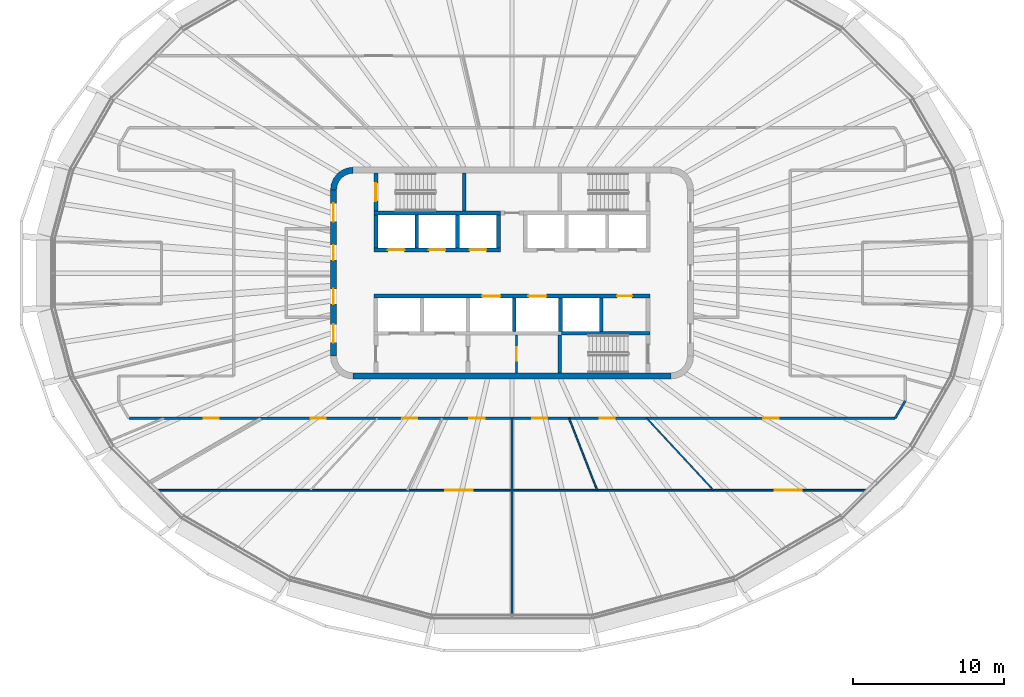
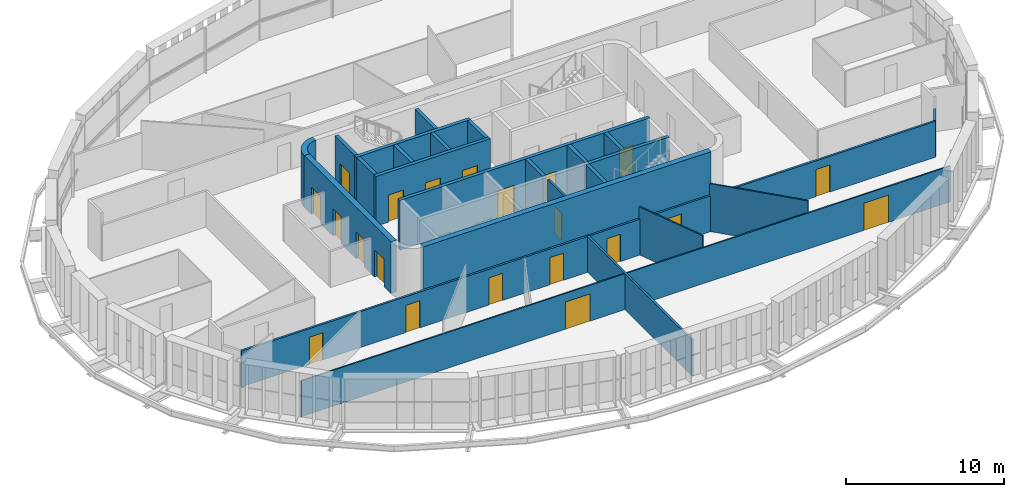
# One storey, part 10 of 19: 24 walls, 21 doors, 21 openings.
"""IFC4 building model written with IfcOpenShell, lengths in metres."""

from ifc_helpers import new_model, si_unit, direction, frame, frame_2d, origin, place, context, subcontext, project, spatial, polyline, rectangle, outline, extrude, material, layer, layer_set, type_object, element, fill, save


model = new_model("IFC4")

# Units and contexts
model_context = context("Model", 3, precision=1e-05, world=origin(), true_north=direction((0.0, 1.0)))
body_context = subcontext(model_context, "Body", "Model", "MODEL_VIEW")
ifc_project = project(units=[si_unit("LENGTHUNIT", "METRE"), si_unit("AREAUNIT", "SQUARE_METRE"), si_unit("VOLUMEUNIT", "CUBIC_METRE"), si_unit("PLANEANGLEUNIT", "RADIAN"), si_unit("MASSUNIT", "GRAM", prefix="KILO")], contexts=[model_context])

# Site, building, storey
site_placement = place(None, origin())
site = spatial("IfcSite", under=ifc_project, at=site_placement, CompositionType="ELEMENT")
building_placement = place(site_placement, origin())
building = spatial("IfcBuilding", under=site, at=building_placement, Name="Sahrelin Media Tower", CompositionType="ELEMENT")
storey_placement = place(building_placement, frame((0.0, 0.0, 241.60009765625)))
storey = spatial("IfcBuildingStorey", under=building, at=storey_placement, Name="L52", CompositionType="ELEMENT", Elevation=241.60009765625)

# Wall
ifc_material_1 = material(Name="Concrete C60/75", Category="concrete")
ifc_layer_1 = layer(ifc_material_1, 0.39990234375)
ifc_layer_set_1 = layer_set([ifc_layer_1], Name="Core wall 400")
wall_type_1 = type_object("IfcWallType", Name="Core wall 400", PredefinedType="SHEAR", material=ifc_layer_set_1)
wall_1_placement = place(storey_placement, frame((-10.5, -6.800048828125, 0.0), z_axis=(0.0, 0.0, 1.0), x_axis=(1.0, 0.0, 0.0)))
element("IfcWall", 1, at=wall_1_placement, inside=storey, type_object=wall_type_1, Name="Core wall S L52", PredefinedType="SHEAR", context=body_context, shape_type="SweptSolid", body=[
    extrude(rectangle(XDim=21.0, YDim=0.39990234375, at=frame_2d((10.5, 0.0))), origin(), (0.0, 0.0, 1.0), 4.0),
])

# Wall, openings, doors
wall_2_placement = place(storey_placement, frame((-11.800048828125, -5.5, 0.0), z_axis=(0.0, 0.0, 1.0), x_axis=(0.0, 1.0, 0.0)))
wall_2 = element("IfcWall", 2, at=wall_2_placement, inside=storey, type_object=wall_type_1, Name="Core wall W L52", PredefinedType="SHEAR", context=body_context, shape_type="SweptSolid", body=[
    extrude(rectangle(XDim=11.0, YDim=0.39990234375, at=frame_2d((5.5, 0.0))), origin(), (0.0, 0.0, 1.0), 4.0),
])
opening_1_placement = place(wall_2_placement, frame((3.449951171875, 0.0, 0.0)))
opening_1 = element("IfcOpeningElement", 3, at=opening_1_placement, cuts=wall_2, Name="Opening L52-D09", PredefinedType="OPENING", context=body_context, shape_type="SweptSolid", body=[
    extrude(rectangle(XDim=1.0, YDim=2.10009765625, at=frame_2d((0.5, 1.050048828125))), frame((0.0, 0.199951171875, 0.0), z_axis=(0.0, -1.0, 0.0), x_axis=(1.0, 0.0, 0.0)), (0.0, 0.0, 1.0), 0.39990234375),
])
opening_2_placement = place(wall_2_placement, frame((6.35009765625, 0.0, 0.0)))
opening_2 = element("IfcOpeningElement", 4, at=opening_2_placement, cuts=wall_2, Name="Opening L52-D10", PredefinedType="OPENING", context=body_context, shape_type="SweptSolid", body=[
    extrude(rectangle(XDim=1.0, YDim=2.10009765625, at=frame_2d((0.5, 1.050048828125))), frame((0.0, 0.199951171875, 0.0), z_axis=(0.0, -1.0, 0.0), x_axis=(1.0, 0.0, 0.0)), (0.0, 0.0, 1.0), 0.39990234375),
])
opening_3_placement = place(wall_2_placement, frame((0.89990234375, 0.0, 0.0)))
opening_3 = element("IfcOpeningElement", 5, at=opening_3_placement, cuts=wall_2, Name="Opening L52-D12", PredefinedType="OPENING", context=body_context, shape_type="SweptSolid", body=[
    extrude(rectangle(XDim=1.199951171875, YDim=2.10009765625, at=frame_2d((0.60009765625, 1.050048828125))), frame((0.0, 0.199951171875, 0.0), z_axis=(0.0, -1.0, 0.0), x_axis=(1.0, 0.0, 0.0)), (0.0, 0.0, 1.0), 0.39990234375),
])
opening_4_placement = place(wall_2_placement, frame((8.89990234375, 0.0, 0.0)))
opening_4 = element("IfcOpeningElement", 6, at=opening_4_placement, cuts=wall_2, Name="Opening L52-D13", PredefinedType="OPENING", context=body_context, shape_type="SweptSolid", body=[
    extrude(rectangle(XDim=1.199951171875, YDim=2.10009765625, at=frame_2d((0.60009765625, 1.050048828125))), frame((0.0, 0.199951171875, 0.0), z_axis=(0.0, -1.0, 0.0), x_axis=(1.0, 0.0, 0.0)), (0.0, 0.0, 1.0), 0.39990234375),
])
ifc_material_2 = material(Name="Steel fire door leaf", Category="steel")
door_type_1 = type_object("IfcDoorType", Name="Fire door 1000 x 2100 EI 60", OperationType="NOTDEFINED", PredefinedType="DOOR", material=ifc_material_2)
door_1_placement = place(opening_1_placement, origin())
door_1 = element("IfcDoor", 7, at=door_1_placement, inside=storey, type_object=door_type_1, Name="Core room door", OperationType="SINGLE_SWING_RIGHT", OverallHeight=2.10009765625, OverallWidth=1.0, PredefinedType="DOOR", context=body_context, shape_type="SweptSolid", body=[
    extrude(rectangle(XDim=1.0, YDim=2.10009765625, at=frame_2d((0.5, 1.050048828125))), frame((0.0, 0.02490234375, 0.0), z_axis=(0.0, -1.0, 0.0), x_axis=(1.0, 0.0, 0.0)), (0.0, 0.0, 1.0), 0.050048828125),
])
fill(opening_1, door_1)
door_2_placement = place(opening_2_placement, origin())
door_2 = element("IfcDoor", 8, at=door_2_placement, inside=storey, type_object=door_type_1, Name="Core room door", OperationType="SINGLE_SWING_RIGHT", OverallHeight=2.10009765625, OverallWidth=1.0, PredefinedType="DOOR", context=body_context, shape_type="SweptSolid", body=[
    extrude(rectangle(XDim=1.0, YDim=2.10009765625, at=frame_2d((0.5, 1.050048828125))), frame((0.0, 0.02490234375, 0.0), z_axis=(0.0, -1.0, 0.0), x_axis=(1.0, 0.0, 0.0)), (0.0, 0.0, 1.0), 0.050048828125),
])
fill(opening_2, door_2)
door_type_2 = type_object("IfcDoorType", Name="Lobby door 1200 x 2100 EI 60", OperationType="NOTDEFINED", PredefinedType="DOOR", material=ifc_material_2)
door_3_placement = place(opening_3_placement, origin())
door_3 = element("IfcDoor", 9, at=door_3_placement, inside=storey, type_object=door_type_2, Name="Lobby door", OperationType="SINGLE_SWING_LEFT", OverallHeight=2.10009765625, OverallWidth=1.199951171875, PredefinedType="DOOR", context=body_context, shape_type="SweptSolid", body=[
    extrude(rectangle(XDim=1.199951171875, YDim=2.10009765625, at=frame_2d((0.60009765625, 1.050048828125))), frame((0.0, 0.02490234375, 0.0), z_axis=(0.0, -1.0, 0.0), x_axis=(1.0, 0.0, 0.0)), (0.0, 0.0, 1.0), 0.050048828125),
])
fill(opening_3, door_3)
door_4_placement = place(opening_4_placement, origin())
door_4 = element("IfcDoor", 10, at=door_4_placement, inside=storey, type_object=door_type_2, Name="Lobby door", OperationType="SINGLE_SWING_LEFT", OverallHeight=2.10009765625, OverallWidth=1.199951171875, PredefinedType="DOOR", context=body_context, shape_type="SweptSolid", body=[
    extrude(rectangle(XDim=1.199951171875, YDim=2.10009765625, at=frame_2d((0.60009765625, 1.050048828125))), frame((0.0, 0.02490234375, 0.0), z_axis=(0.0, -1.0, 0.0), x_axis=(1.0, 0.0, 0.0)), (0.0, 0.0, 1.0), 0.050048828125),
])
fill(opening_4, door_4)

# Wall
wall_3_placement = place(storey_placement, origin())
element("IfcWall", 11, at=wall_3_placement, inside=storey, type_object=wall_type_1, Name="Core wall corner NW L52", PredefinedType="SHEAR", context=body_context, shape_type="SweptSolid", body=[
    extrude(outline(polyline([(-12.0, 5.5), (-11.596435546875, 5.5), (-11.55908203125, 5.78369140625), (-11.44970703125, 6.04833984375), (-11.275390625, 6.275390625), (-11.04833984375, 6.44970703125), (-10.78369140625, 6.55908203125), (-10.5, 6.596435546875), (-10.5, 7.0), (-10.88818359375, 6.948974609375), (-11.25, 6.799072265625), (-11.560791015625, 6.560791015625), (-11.799072265625, 6.25), (-11.948974609375, 5.88818359375), (-12.0, 5.5)])), origin(), (0.0, 0.0, 1.0), 4.0),
])

# Wall, opening, door
ifc_material_3 = material(Name="Fire-rated gypsum board partition")
ifc_layer_2 = layer(ifc_material_3, 0.14990234375)
ifc_layer_set_2 = layer_set([ifc_layer_2], Name="Fire-rated partition 150")
wall_type_2 = type_object("IfcWallType", Name="Fire-rated partition 150", PredefinedType="PARTITIONING", material=ifc_layer_set_2)
wall_4_placement = place(storey_placement, frame((0.300048828125, -6.60009765625, 0.0), z_axis=(0.0, 0.0, 1.0), x_axis=(0.0, 1.0, 0.0)))
wall_4 = element("IfcWall", 12, at=wall_4_placement, inside=storey, type_object=wall_type_2, Name="Core room fire partition", PredefinedType="PARTITIONING", context=body_context, shape_type="SweptSolid", body=[
    extrude(rectangle(XDim=2.5, YDim=0.14990234375, at=frame_2d((1.25, 0.0))), origin(), (0.0, 0.0, 1.0), 3.699951171875),
])
opening_5_placement = place(wall_4_placement, frame((0.800048828125, 0.0, 0.0)))
opening_5 = element("IfcOpeningElement", 13, at=opening_5_placement, cuts=wall_4, Name="Opening L52-D07", PredefinedType="OPENING", context=body_context, shape_type="SweptSolid", body=[
    extrude(rectangle(XDim=0.89990234375, YDim=2.10009765625, at=frame_2d((0.449951171875, 1.050048828125))), frame((0.0, 0.074951171875, 0.0), z_axis=(0.0, -1.0, 0.0), x_axis=(1.0, 0.0, 0.0)), (0.0, 0.0, 1.0), 0.14990234375),
])
door_type_3 = type_object("IfcDoorType", Name="Fire door 900 x 2100 EI 60", OperationType="NOTDEFINED", PredefinedType="DOOR", material=ifc_material_2)
door_5_placement = place(opening_5_placement, origin())
door_5 = element("IfcDoor", 14, at=door_5_placement, inside=storey, type_object=door_type_3, Name="Core room door", OperationType="SINGLE_SWING_RIGHT", OverallHeight=2.10009765625, OverallWidth=0.89990234375, PredefinedType="DOOR", context=body_context, shape_type="SweptSolid", body=[
    extrude(rectangle(XDim=0.89990234375, YDim=2.10009765625, at=frame_2d((0.449951171875, 1.050048828125))), frame((0.0, 0.02490234375, 0.0), z_axis=(0.0, -1.0, 0.0), x_axis=(1.0, 0.0, 0.0)), (0.0, 0.0, 1.0), 0.050048828125),
])
fill(opening_5, door_5)

# Wall, openings, doors
wall_5_placement = place(storey_placement, frame((-25.3330078125, -9.60009765625, 0.0), z_axis=(0.0, 0.0, 1.0), x_axis=(1.0, 0.0, 0.0)))
wall_5 = element("IfcWall", 15, at=wall_5_placement, inside=storey, type_object=wall_type_2, Name="Wall", PredefinedType="PARTITIONING", context=body_context, shape_type="SweptSolid", body=[
    extrude(rectangle(XDim=50.666015625, YDim=0.14990234375, at=frame_2d((25.3330078125, 0.0))), origin(), (0.0, 0.0, 1.0), 2.76806640625),
])
opening_6_placement = place(wall_5_placement, frame((4.955810546875, 0.0, 0.0)))
opening_6 = element("IfcOpeningElement", 16, at=opening_6_placement, cuts=wall_5, Name="Opening L52-D26", PredefinedType="OPENING", context=body_context, shape_type="SweptSolid", body=[
    extrude(rectangle(XDim=1.0, YDim=2.10009765625, at=frame_2d((0.5, 1.050048828125))), frame((0.0, 0.074951171875, 0.0), z_axis=(0.0, -1.0, 0.0), x_axis=(1.0, 0.0, 0.0)), (0.0, 0.0, 1.0), 0.14990234375),
])
opening_7_placement = place(wall_5_placement, frame((12.015869140625, 0.0, 0.0)))
opening_7 = element("IfcOpeningElement", 17, at=opening_7_placement, cuts=wall_5, Name="Opening L52-D28", PredefinedType="OPENING", context=body_context, shape_type="SweptSolid", body=[
    extrude(rectangle(XDim=1.0, YDim=2.10009765625, at=frame_2d((0.5, 1.050048828125))), frame((0.0, 0.074951171875, 0.0), z_axis=(0.0, -1.0, 0.0), x_axis=(1.0, 0.0, 0.0)), (0.0, 0.0, 1.0), 0.14990234375),
])
opening_8_placement = place(wall_5_placement, frame((18.068115234375, 0.0, 0.0)))
opening_8 = element("IfcOpeningElement", 18, at=opening_8_placement, cuts=wall_5, Name="Opening L52-D29", PredefinedType="OPENING", context=body_context, shape_type="SweptSolid", body=[
    extrude(rectangle(XDim=1.0, YDim=2.10009765625, at=frame_2d((0.5, 1.050048828125))), frame((0.0, 0.074951171875, 0.0), z_axis=(0.0, -1.0, 0.0), x_axis=(1.0, 0.0, 0.0)), (0.0, 0.0, 1.0), 0.14990234375),
])
opening_9_placement = place(wall_5_placement, frame((22.521484375, 0.0, 0.0)))
opening_9 = element("IfcOpeningElement", 19, at=opening_9_placement, cuts=wall_5, Name="Opening L52-D30", PredefinedType="OPENING", context=body_context, shape_type="SweptSolid", body=[
    extrude(rectangle(XDim=1.0, YDim=2.10009765625, at=frame_2d((0.5, 1.050048828125))), frame((0.0, 0.074951171875, 0.0), z_axis=(0.0, -1.0, 0.0), x_axis=(1.0, 0.0, 0.0)), (0.0, 0.0, 1.0), 0.14990234375),
])
opening_10_placement = place(wall_5_placement, frame((26.664794921875, 0.0, 0.0)))
opening_10 = element("IfcOpeningElement", 20, at=opening_10_placement, cuts=wall_5, Name="Opening L52-D32", PredefinedType="OPENING", context=body_context, shape_type="SweptSolid", body=[
    extrude(rectangle(XDim=1.0, YDim=2.10009765625, at=frame_2d((0.5, 1.050048828125))), frame((0.0, 0.074951171875, 0.0), z_axis=(0.0, -1.0, 0.0), x_axis=(1.0, 0.0, 0.0)), (0.0, 0.0, 1.0), 0.14990234375),
])
opening_11_placement = place(wall_5_placement, frame((31.119873046875, 0.0, 0.0)))
opening_11 = element("IfcOpeningElement", 21, at=opening_11_placement, cuts=wall_5, Name="Opening L52-D33", PredefinedType="OPENING", context=body_context, shape_type="SweptSolid", body=[
    extrude(rectangle(XDim=1.0, YDim=2.10009765625, at=frame_2d((0.5, 1.050048828125))), frame((0.0, 0.074951171875, 0.0), z_axis=(0.0, -1.0, 0.0), x_axis=(1.0, 0.0, 0.0)), (0.0, 0.0, 1.0), 0.14990234375),
])
opening_12_placement = place(wall_5_placement, frame((41.952880859375, 0.0, 0.0)))
opening_12 = element("IfcOpeningElement", 22, at=opening_12_placement, cuts=wall_5, Name="Opening L52-D34", PredefinedType="OPENING", context=body_context, shape_type="SweptSolid", body=[
    extrude(rectangle(XDim=1.0, YDim=2.10009765625, at=frame_2d((0.5, 1.050048828125))), frame((0.0, 0.074951171875, 0.0), z_axis=(0.0, -1.0, 0.0), x_axis=(1.0, 0.0, 0.0)), (0.0, 0.0, 1.0), 0.14990234375),
])
door_6_placement = place(opening_6_placement, origin())
door_6 = element("IfcDoor", 23, at=door_6_placement, inside=storey, type_object=door_type_1, Name="Fire door", OperationType="SINGLE_SWING_LEFT", OverallHeight=2.10009765625, OverallWidth=1.0, PredefinedType="DOOR", context=body_context, shape_type="SweptSolid", body=[
    extrude(rectangle(XDim=1.0, YDim=2.10009765625, at=frame_2d((0.5, 1.050048828125))), frame((0.0, 0.02490234375, 0.0), z_axis=(0.0, -1.0, 0.0), x_axis=(1.0, 0.0, 0.0)), (0.0, 0.0, 1.0), 0.050048828125),
])
fill(opening_6, door_6)
door_7_placement = place(opening_7_placement, origin())
door_7 = element("IfcDoor", 24, at=door_7_placement, inside=storey, type_object=door_type_1, Name="Fire door", OperationType="SINGLE_SWING_RIGHT", OverallHeight=2.10009765625, OverallWidth=1.0, PredefinedType="DOOR", context=body_context, shape_type="SweptSolid", body=[
    extrude(rectangle(XDim=1.0, YDim=2.10009765625, at=frame_2d((0.5, 1.050048828125))), frame((0.0, 0.02490234375, 0.0), z_axis=(0.0, -1.0, 0.0), x_axis=(1.0, 0.0, 0.0)), (0.0, 0.0, 1.0), 0.050048828125),
])
fill(opening_7, door_7)
door_8_placement = place(opening_8_placement, origin())
door_8 = element("IfcDoor", 25, at=door_8_placement, inside=storey, type_object=door_type_1, Name="Fire door", OperationType="SINGLE_SWING_RIGHT", OverallHeight=2.10009765625, OverallWidth=1.0, PredefinedType="DOOR", context=body_context, shape_type="SweptSolid", body=[
    extrude(rectangle(XDim=1.0, YDim=2.10009765625, at=frame_2d((0.5, 1.050048828125))), frame((0.0, 0.02490234375, 0.0), z_axis=(0.0, -1.0, 0.0), x_axis=(1.0, 0.0, 0.0)), (0.0, 0.0, 1.0), 0.050048828125),
])
fill(opening_8, door_8)
door_9_placement = place(opening_9_placement, origin())
door_9 = element("IfcDoor", 26, at=door_9_placement, inside=storey, type_object=door_type_1, Name="Fire door", OperationType="SINGLE_SWING_LEFT", OverallHeight=2.10009765625, OverallWidth=1.0, PredefinedType="DOOR", context=body_context, shape_type="SweptSolid", body=[
    extrude(rectangle(XDim=1.0, YDim=2.10009765625, at=frame_2d((0.5, 1.050048828125))), frame((0.0, 0.02490234375, 0.0), z_axis=(0.0, -1.0, 0.0), x_axis=(1.0, 0.0, 0.0)), (0.0, 0.0, 1.0), 0.050048828125),
])
fill(opening_9, door_9)
door_10_placement = place(opening_10_placement, origin())
door_10 = element("IfcDoor", 27, at=door_10_placement, inside=storey, type_object=door_type_1, Name="Fire door", OperationType="SINGLE_SWING_RIGHT", OverallHeight=2.10009765625, OverallWidth=1.0, PredefinedType="DOOR", context=body_context, shape_type="SweptSolid", body=[
    extrude(rectangle(XDim=1.0, YDim=2.10009765625, at=frame_2d((0.5, 1.050048828125))), frame((0.0, 0.02490234375, 0.0), z_axis=(0.0, -1.0, 0.0), x_axis=(1.0, 0.0, 0.0)), (0.0, 0.0, 1.0), 0.050048828125),
])
fill(opening_10, door_10)
door_11_placement = place(opening_11_placement, origin())
door_11 = element("IfcDoor", 28, at=door_11_placement, inside=storey, type_object=door_type_1, Name="Fire door", OperationType="SINGLE_SWING_LEFT", OverallHeight=2.10009765625, OverallWidth=1.0, PredefinedType="DOOR", context=body_context, shape_type="SweptSolid", body=[
    extrude(rectangle(XDim=1.0, YDim=2.10009765625, at=frame_2d((0.5, 1.050048828125))), frame((0.0, 0.02490234375, 0.0), z_axis=(0.0, -1.0, 0.0), x_axis=(1.0, 0.0, 0.0)), (0.0, 0.0, 1.0), 0.050048828125),
])
fill(opening_11, door_11)
door_12_placement = place(opening_12_placement, origin())
door_12 = element("IfcDoor", 29, at=door_12_placement, inside=storey, type_object=door_type_1, Name="Fire door", OperationType="SINGLE_SWING_RIGHT", OverallHeight=2.10009765625, OverallWidth=1.0, PredefinedType="DOOR", context=body_context, shape_type="SweptSolid", body=[
    extrude(rectangle(XDim=1.0, YDim=2.10009765625, at=frame_2d((0.5, 1.050048828125))), frame((0.0, 0.02490234375, 0.0), z_axis=(0.0, -1.0, 0.0), x_axis=(1.0, 0.0, 0.0)), (0.0, 0.0, 1.0), 0.050048828125),
])
fill(opening_12, door_12)

# Walls
wall_6_placement = place(storey_placement, frame((25.3330078125, -9.60009765625, 0.0), z_axis=(0.0, 0.0, 1.0), x_axis=(0.500076310463, 0.865981341435, 0.0)))
element("IfcWall", 30, at=wall_6_placement, inside=storey, type_object=wall_type_2, Name="Wall", PredefinedType="PARTITIONING", context=body_context, shape_type="SweptSolid", body=[
    extrude(rectangle(XDim=1.333740234375, YDim=0.14990234375, at=frame_2d((0.6669921875, 0.0))), origin(), (0.0, 0.0, 1.0), 2.76806640625),
])
wall_7_placement = place(storey_placement, frame((0.0, -22.85009765625, 0.0), z_axis=(0.0, 0.0, 1.0), x_axis=(0.0, 1.0, 0.0)))
element("IfcWall", 31, at=wall_7_placement, inside=storey, type_object=wall_type_2, Name="Wall", PredefinedType="PARTITIONING", context=body_context, shape_type="SweptSolid", body=[
    extrude(rectangle(XDim=13.25, YDim=0.14990234375, at=frame_2d((6.625, 0.0))), origin(), (0.0, 0.0, 1.0), 2.76806640625),
])

# Wall, openings, doors
ifc_layer_3 = layer(ifc_material_1, 0.25)
ifc_layer_set_3 = layer_set([ifc_layer_3], Name="Lift shaft wall 250")
wall_type_3 = type_object("IfcWallType", Name="Lift shaft wall 250", PredefinedType="SOLIDWALL", material=ifc_layer_set_3)
wall_8_placement = place(storey_placement, frame((-9.125, 1.52490234375, 0.0), z_axis=(0.0, 0.0, 1.0), x_axis=(1.0, 0.0, 0.0)))
wall_8 = element("IfcWall", 32, at=wall_8_placement, inside=storey, type_object=wall_type_3, Name="Lift shaft wall", PredefinedType="SOLIDWALL", context=body_context, shape_type="SweptSolid", body=[
    extrude(rectangle(XDim=8.35009765625, YDim=0.25, at=frame_2d((4.175048828125, 0.0))), origin(), (0.0, 0.0, 1.0), 3.849853515625),
])
opening_13_placement = place(wall_8_placement, frame((0.925048828125, 0.0, 0.0)))
opening_13 = element("IfcOpeningElement", 33, at=opening_13_placement, cuts=wall_8, Name="Opening L52-LD-HR1", PredefinedType="OPENING", context=body_context, shape_type="SweptSolid", body=[
    extrude(rectangle(XDim=1.10009765625, YDim=2.10009765625, at=frame_2d((0.550048828125, 1.050048828125))), frame((0.0, 0.125, 0.0), z_axis=(0.0, -1.0, 0.0), x_axis=(1.0, 0.0, 0.0)), (0.0, 0.0, 1.0), 0.25),
])
opening_14_placement = place(wall_8_placement, frame((3.625, 0.0, 0.0)))
opening_14 = element("IfcOpeningElement", 34, at=opening_14_placement, cuts=wall_8, Name="Opening L52-LD-HR2", PredefinedType="OPENING", context=body_context, shape_type="SweptSolid", body=[
    extrude(rectangle(XDim=1.10009765625, YDim=2.10009765625, at=frame_2d((0.550048828125, 1.050048828125))), frame((0.0, 0.125, 0.0), z_axis=(0.0, -1.0, 0.0), x_axis=(1.0, 0.0, 0.0)), (0.0, 0.0, 1.0), 0.25),
])
opening_15_placement = place(wall_8_placement, frame((6.324951171875, 0.0, 0.0)))
opening_15 = element("IfcOpeningElement", 35, at=opening_15_placement, cuts=wall_8, Name="Opening L52-LD-HR3", PredefinedType="OPENING", context=body_context, shape_type="SweptSolid", body=[
    extrude(rectangle(XDim=1.10009765625, YDim=2.10009765625, at=frame_2d((0.550048828125, 1.050048828125))), frame((0.0, 0.125, 0.0), z_axis=(0.0, -1.0, 0.0), x_axis=(1.0, 0.0, 0.0)), (0.0, 0.0, 1.0), 0.25),
])
ifc_material_4 = material(Name="Stainless steel", Category="steel")
door_type_4 = type_object("IfcDoorType", Name="Lift landing door 1100 x 2100 EI 120", OperationType="DOUBLE_DOOR_SLIDING", PredefinedType="DOOR", material=ifc_material_4)
door_13_placement = place(opening_13_placement, origin())
door_13 = element("IfcDoor", 36, at=door_13_placement, inside=storey, type_object=door_type_4, Name="Lift landing door HR1", OperationType="DOUBLE_DOOR_SLIDING", OverallHeight=2.10009765625, OverallWidth=1.10009765625, PredefinedType="DOOR", context=body_context, shape_type="SweptSolid", body=[
    extrude(rectangle(XDim=1.10009765625, YDim=2.10009765625, at=frame_2d((0.550048828125, 1.050048828125))), frame((0.0, 0.02490234375, 0.0), z_axis=(0.0, -1.0, 0.0), x_axis=(1.0, 0.0, 0.0)), (0.0, 0.0, 1.0), 0.050048828125),
])
fill(opening_13, door_13)
door_14_placement = place(opening_14_placement, origin())
door_14 = element("IfcDoor", 37, at=door_14_placement, inside=storey, type_object=door_type_4, Name="Lift landing door HR2", OperationType="DOUBLE_DOOR_SLIDING", OverallHeight=2.10009765625, OverallWidth=1.10009765625, PredefinedType="DOOR", context=body_context, shape_type="SweptSolid", body=[
    extrude(rectangle(XDim=1.10009765625, YDim=2.10009765625, at=frame_2d((0.550048828125, 1.050048828125))), frame((0.0, 0.02490234375, 0.0), z_axis=(0.0, -1.0, 0.0), x_axis=(1.0, 0.0, 0.0)), (0.0, 0.0, 1.0), 0.050048828125),
])
fill(opening_14, door_14)
door_15_placement = place(opening_15_placement, origin())
door_15 = element("IfcDoor", 38, at=door_15_placement, inside=storey, type_object=door_type_4, Name="Lift landing door HR3", OperationType="DOUBLE_DOOR_SLIDING", OverallHeight=2.10009765625, OverallWidth=1.10009765625, PredefinedType="DOOR", context=body_context, shape_type="SweptSolid", body=[
    extrude(rectangle(XDim=1.10009765625, YDim=2.10009765625, at=frame_2d((0.550048828125, 1.050048828125))), frame((0.0, 0.02490234375, 0.0), z_axis=(0.0, -1.0, 0.0), x_axis=(1.0, 0.0, 0.0)), (0.0, 0.0, 1.0), 0.050048828125),
])
fill(opening_15, door_15)

# Walls
wall_9_placement = place(storey_placement, frame((-9.125, 3.97509765625, 0.0), z_axis=(0.0, 0.0, 1.0), x_axis=(1.0, 0.0, 0.0)))
element("IfcWall", 39, at=wall_9_placement, inside=storey, type_object=wall_type_3, Name="Lift shaft wall", PredefinedType="SOLIDWALL", context=body_context, shape_type="SweptSolid", body=[
    extrude(rectangle(XDim=8.35009765625, YDim=0.25, at=frame_2d((4.175048828125, 0.0))), origin(), (0.0, 0.0, 1.0), 3.849853515625),
])
for number, where, z_axis, x_axis, name in (
    (40, (-9.0, 1.64990234375, 0.0), (0.0, 0.0, 1.0), (0.0, 1.0, 0.0), "Lift shaft wall"),
    (41, (-6.300048828125, 1.64990234375, 0.0), (0.0, 0.0, 1.0), (0.0, 1.0, 0.0), "Lift shaft wall"),
    (42, (-3.60009765625, 1.64990234375, 0.0), (0.0, 0.0, 1.0), (0.0, 1.0, 0.0), "Lift shaft wall"),
    (43, (-0.89990234375, 1.64990234375, 0.0), (0.0, 0.0, 1.0), (0.0, 1.0, 0.0), "Lift shaft wall"),
):
    element("IfcWall", number, at=place(storey_placement, frame(where, z_axis=z_axis, x_axis=x_axis)), inside=storey, type_object=wall_type_3, Name=name, PredefinedType="SOLIDWALL", context=body_context, shape_type="SweptSolid", body=[
        extrude(rectangle(XDim=2.2001953125, YDim=0.25, at=frame_2d((1.10009765625, 0.0))), origin(), (0.0, 0.0, 1.0), 3.849853515625),
    ])

# Wall, openings, doors
wall_10_placement = place(storey_placement, frame((-9.125, -1.52490234375, 0.0), z_axis=(0.0, 0.0, 1.0), x_axis=(1.0, 0.0, 0.0)))
wall_10 = element("IfcWall", 44, at=wall_10_placement, inside=storey, type_object=wall_type_3, Name="Lift shaft wall", PredefinedType="SOLIDWALL", context=body_context, shape_type="SweptSolid", body=[
    extrude(rectangle(XDim=18.25, YDim=0.25, at=frame_2d((9.125, 0.0))), origin(), (0.0, 0.0, 1.0), 3.849853515625),
])
opening_16_placement = place(wall_10_placement, frame((7.14990234375, 0.0, 0.0)))
opening_16 = element("IfcOpeningElement", 45, at=opening_16_placement, cuts=wall_10, Name="Opening L52-LD-SV1", PredefinedType="OPENING", context=body_context, shape_type="SweptSolid", body=[
    extrude(rectangle(XDim=1.199951171875, YDim=2.10009765625, at=frame_2d((0.60009765625, 1.050048828125))), frame((0.0, 0.125, 0.0), z_axis=(0.0, -1.0, 0.0), x_axis=(1.0, 0.0, 0.0)), (0.0, 0.0, 1.0), 0.25),
])
opening_17_placement = place(wall_10_placement, frame((10.199951171875, 0.0, 0.0)))
opening_17 = element("IfcOpeningElement", 46, at=opening_17_placement, cuts=wall_10, Name="Opening L52-LD-SV2", PredefinedType="OPENING", context=body_context, shape_type="SweptSolid", body=[
    extrude(rectangle(XDim=1.199951171875, YDim=2.10009765625, at=frame_2d((0.60009765625, 1.050048828125))), frame((0.0, 0.125, 0.0), z_axis=(0.0, -1.0, 0.0), x_axis=(1.0, 0.0, 0.0)), (0.0, 0.0, 1.0), 0.25),
])
opening_18_placement = place(wall_10_placement, frame((16.074951171875, 0.0, 0.0)))
opening_18 = element("IfcOpeningElement", 47, at=opening_18_placement, cuts=wall_10, Name="Opening L52-D08", PredefinedType="OPENING", context=body_context, shape_type="SweptSolid", body=[
    extrude(rectangle(XDim=1.0, YDim=2.10009765625, at=frame_2d((0.5, 1.050048828125))), frame((0.0, 0.125, 0.0), z_axis=(0.0, -1.0, 0.0), x_axis=(1.0, 0.0, 0.0)), (0.0, 0.0, 1.0), 0.25),
])
door_16_placement = place(opening_18_placement, origin())
door_16 = element("IfcDoor", 48, at=door_16_placement, inside=storey, type_object=door_type_1, Name="Core room door", OperationType="SINGLE_SWING_RIGHT", OverallHeight=2.10009765625, OverallWidth=1.0, PredefinedType="DOOR", context=body_context, shape_type="SweptSolid", body=[
    extrude(rectangle(XDim=1.0, YDim=2.10009765625, at=frame_2d((0.5, 1.050048828125))), frame((0.0, 0.02490234375, 0.0), z_axis=(0.0, -1.0, 0.0), x_axis=(1.0, 0.0, 0.0)), (0.0, 0.0, 1.0), 0.050048828125),
])
fill(opening_18, door_16)
door_type_5 = type_object("IfcDoorType", Name="Lift landing door 1200 x 2100 EI 120", OperationType="DOUBLE_DOOR_SLIDING", PredefinedType="DOOR", material=ifc_material_4)
door_17_placement = place(opening_16_placement, origin())
door_17 = element("IfcDoor", 49, at=door_17_placement, inside=storey, type_object=door_type_5, Name="Lift landing door SV1", OperationType="DOUBLE_DOOR_SLIDING", OverallHeight=2.10009765625, OverallWidth=1.199951171875, PredefinedType="DOOR", context=body_context, shape_type="SweptSolid", body=[
    extrude(rectangle(XDim=1.199951171875, YDim=2.10009765625, at=frame_2d((0.60009765625, 1.050048828125))), frame((0.0, 0.02490234375, 0.0), z_axis=(0.0, -1.0, 0.0), x_axis=(1.0, 0.0, 0.0)), (0.0, 0.0, 1.0), 0.050048828125),
])
fill(opening_16, door_17)
door_18_placement = place(opening_17_placement, origin())
door_18 = element("IfcDoor", 50, at=door_18_placement, inside=storey, type_object=door_type_5, Name="Lift landing door SV2", OperationType="DOUBLE_DOOR_SLIDING", OverallHeight=2.10009765625, OverallWidth=1.199951171875, PredefinedType="DOOR", context=body_context, shape_type="SweptSolid", body=[
    extrude(rectangle(XDim=1.199951171875, YDim=2.10009765625, at=frame_2d((0.60009765625, 1.050048828125))), frame((0.0, 0.02490234375, 0.0), z_axis=(0.0, -1.0, 0.0), x_axis=(1.0, 0.0, 0.0)), (0.0, 0.0, 1.0), 0.050048828125),
])
fill(opening_17, door_18)

# Walls
wall_11_placement = place(storey_placement, frame((3.27490234375, -3.97509765625, 0.0), z_axis=(0.0, 0.0, 1.0), x_axis=(1.0, 0.0, 0.0)))
element("IfcWall", 51, at=wall_11_placement, inside=storey, type_object=wall_type_3, Name="Lift shaft wall", PredefinedType="SOLIDWALL", context=body_context, shape_type="SweptSolid", body=[
    extrude(rectangle(XDim=5.85009765625, YDim=0.25, at=frame_2d((2.925048828125, 0.0))), origin(), (0.0, 0.0, 1.0), 3.849853515625),
])
for number, where, z_axis, x_axis, name in (
    (52, (0.14990234375, -3.85009765625, 0.0), (0.0, 0.0, 1.0), (0.0, 1.0, 0.0), "Lift shaft wall"),
    (53, (3.199951171875, -3.85009765625, 0.0), (0.0, 0.0, 1.0), (0.0, 1.0, 0.0), "Lift shaft wall"),
    (54, (5.89990234375, -3.85009765625, 0.0), (0.0, 0.0, 1.0), (0.0, 1.0, 0.0), "Lift shaft wall"),
):
    element("IfcWall", number, at=place(storey_placement, frame(where, z_axis=z_axis, x_axis=x_axis)), inside=storey, type_object=wall_type_3, Name=name, PredefinedType="SOLIDWALL", context=body_context, shape_type="SweptSolid", body=[
        extrude(rectangle(XDim=2.2001953125, YDim=0.25, at=frame_2d((1.10009765625, 0.0))), origin(), (0.0, 0.0, 1.0), 3.849853515625),
    ])
ifc_material_5 = material(Name="Gypsum board partition")
ifc_layer_4 = layer(ifc_material_5, 0.10009765625)
ifc_layer_set_4 = layer_set([ifc_layer_4], Name="Partition 100")
wall_type_4 = type_object("IfcWallType", Name="Partition 100", PredefinedType="PARTITIONING", material=ifc_layer_set_4)
wall_12_placement = place(storey_placement, frame((3.76806640625, -9.60009765625, 0.0), z_axis=(0.0, 0.0, 1.0), x_axis=(0.365299294679, -0.93089012526, 0.0)))
element("IfcWall", 55, at=wall_12_placement, inside=storey, type_object=wall_type_4, Name="Wall", PredefinedType="PARTITIONING", context=body_context, shape_type="SweptSolid", body=[
    extrude(rectangle(XDim=5.11328125, YDim=0.10009765625, at=frame_2d((2.556640625, 0.0))), origin(), (0.0, 0.0, 1.0), 3.699951171875),
])
wall_13_placement = place(storey_placement, frame((8.906982421875, -9.60009765625, 0.0), z_axis=(0.0, 0.0, 1.0), x_axis=(0.680201581888, -0.733025107344, 0.0)))
element("IfcWall", 56, at=wall_13_placement, inside=storey, type_object=wall_type_4, Name="Wall", PredefinedType="PARTITIONING", context=body_context, shape_type="SweptSolid", body=[
    extrude(rectangle(XDim=6.49365234375, YDim=0.10009765625, at=frame_2d((3.246826171875, 0.0))), origin(), (0.0, 0.0, 1.0), 3.699951171875),
])

# Wall, openings, doors
wall_14_placement = place(storey_placement, frame((-23.7099609375, -14.360107421875, 0.0), z_axis=(0.0, 0.0, 1.0), x_axis=(1.0, 0.0, 0.0)))
wall_14 = element("IfcWall", 57, at=wall_14_placement, inside=storey, type_object=wall_type_4, Name="Wall", PredefinedType="PARTITIONING", context=body_context, shape_type="SweptSolid", body=[
    extrude(rectangle(XDim=47.419921875, YDim=0.10009765625, at=frame_2d((23.7099609375, 0.0))), origin(), (0.0, 0.0, 1.0), 2.76806640625),
])
opening_19_placement = place(wall_14_placement, frame((19.30224609375, 0.0, 0.0)))
opening_19 = element("IfcOpeningElement", 58, at=opening_19_placement, cuts=wall_14, Name="Opening L52-D31", PredefinedType="OPENING", context=body_context, shape_type="SweptSolid", body=[
    extrude(rectangle(XDim=1.800048828125, YDim=2.10009765625, at=frame_2d((0.89990234375, 1.050048828125))), frame((0.0, 0.050048828125, 0.0), z_axis=(0.0, -1.0, 0.0), x_axis=(1.0, 0.0, 0.0)), (0.0, 0.0, 1.0), 0.10009765625),
])
opening_20_placement = place(wall_14_placement, frame((41.07421875, 0.0, 0.0)))
opening_20 = element("IfcOpeningElement", 59, at=opening_20_placement, cuts=wall_14, Name="Opening L52-D35", PredefinedType="OPENING", context=body_context, shape_type="SweptSolid", body=[
    extrude(rectangle(XDim=1.800048828125, YDim=2.10009765625, at=frame_2d((0.89990234375, 1.050048828125))), frame((0.0, 0.050048828125, 0.0), z_axis=(0.0, -1.0, 0.0), x_axis=(1.0, 0.0, 0.0)), (0.0, 0.0, 1.0), 0.10009765625),
])
ifc_material_6 = material(Name="Timber door leaf", Category="wood")
door_type_6 = type_object("IfcDoorType", Name="Double door 1800 x 2100", OperationType="DOUBLE_DOOR_SINGLE_SWING", PredefinedType="DOOR", material=ifc_material_6)
door_19_placement = place(opening_19_placement, origin())
door_19 = element("IfcDoor", 60, at=door_19_placement, inside=storey, type_object=door_type_6, Name="Double door", OperationType="DOUBLE_DOOR_SINGLE_SWING", OverallHeight=2.10009765625, OverallWidth=1.800048828125, PredefinedType="DOOR", context=body_context, shape_type="SweptSolid", body=[
    extrude(rectangle(XDim=1.800048828125, YDim=2.10009765625, at=frame_2d((0.89990234375, 1.050048828125))), frame((0.0, 0.02490234375, 0.0), z_axis=(0.0, -1.0, 0.0), x_axis=(1.0, 0.0, 0.0)), (0.0, 0.0, 1.0), 0.050048828125),
])
fill(opening_19, door_19)
door_20_placement = place(opening_20_placement, origin())
door_20 = element("IfcDoor", 61, at=door_20_placement, inside=storey, type_object=door_type_6, Name="Double door", OperationType="DOUBLE_DOOR_SINGLE_SWING", OverallHeight=2.10009765625, OverallWidth=1.800048828125, PredefinedType="DOOR", context=body_context, shape_type="SweptSolid", body=[
    extrude(rectangle(XDim=1.800048828125, YDim=2.10009765625, at=frame_2d((0.89990234375, 1.050048828125))), frame((0.0, 0.02490234375, 0.0), z_axis=(0.0, -1.0, 0.0), x_axis=(1.0, 0.0, 0.0)), (0.0, 0.0, 1.0), 0.050048828125),
])
fill(opening_20, door_20)

# Wall, opening, door
ifc_layer_5 = layer(ifc_material_1, 0.25)
ifc_layer_set_5 = layer_set([ifc_layer_5], Name="Stair enclosure wall 250")
wall_type_5 = type_object("IfcWallType", Name="Stair enclosure wall 250", PredefinedType="SOLIDWALL", material=ifc_layer_set_5)
wall_15_placement = place(storey_placement, frame((-9.0, 4.10009765625, 0.0), z_axis=(0.0, 0.0, 1.0), x_axis=(0.0, 1.0, 0.0)))
wall_15 = element("IfcWall", 62, at=wall_15_placement, inside=storey, type_object=wall_type_5, Name="Stair enclosure wall", PredefinedType="SOLIDWALL", context=body_context, shape_type="SweptSolid", body=[
    extrude(rectangle(XDim=2.5, YDim=0.25, at=frame_2d((1.25, 0.0))), origin(), (0.0, 0.0, 1.0), 3.849853515625),
])
opening_21_placement = place(wall_15_placement, frame((0.64990234375, 0.0, 0.0)))
opening_21 = element("IfcOpeningElement", 63, at=opening_21_placement, cuts=wall_15, Name="Opening L52-D01", PredefinedType="OPENING", context=body_context, shape_type="SweptSolid", body=[
    extrude(rectangle(XDim=1.199951171875, YDim=2.10009765625, at=frame_2d((0.60009765625, 1.050048828125))), frame((0.0, 0.125, 0.0), z_axis=(0.0, -1.0, 0.0), x_axis=(1.0, 0.0, 0.0)), (0.0, 0.0, 1.0), 0.25),
])
door_type_7 = type_object("IfcDoorType", Name="Stair door 1200 x 2100 EI 120", OperationType="NOTDEFINED", PredefinedType="DOOR", material=ifc_material_2)
door_21_placement = place(opening_21_placement, origin())
door_21 = element("IfcDoor", 64, at=door_21_placement, inside=storey, type_object=door_type_7, Name="Stair door ST1", OperationType="SINGLE_SWING_RIGHT", OverallHeight=2.10009765625, OverallWidth=1.199951171875, PredefinedType="DOOR", context=body_context, shape_type="SweptSolid", body=[
    extrude(rectangle(XDim=1.199951171875, YDim=2.10009765625, at=frame_2d((0.60009765625, 1.050048828125))), frame((0.0, 0.02490234375, 0.0), z_axis=(0.0, -1.0, 0.0), x_axis=(1.0, 0.0, 0.0)), (0.0, 0.0, 1.0), 0.050048828125),
])
fill(opening_21, door_21)

# Walls
for number, where, z_axis, x_axis, name in (
    (65, (-3.14990234375, 4.10009765625, 0.0), (0.0, 0.0, 1.0), (0.0, 1.0, 0.0), "Stair enclosure wall"),
    (66, (3.14990234375, -6.60009765625, 0.0), (0.0, 0.0, 1.0), (0.0, 1.0, 0.0), "Stair enclosure wall"),
):
    element("IfcWall", number, at=place(storey_placement, frame(where, z_axis=z_axis, x_axis=x_axis)), inside=storey, type_object=wall_type_5, Name=name, PredefinedType="SOLIDWALL", context=body_context, shape_type="SweptSolid", body=[
        extrude(rectangle(XDim=2.5, YDim=0.25, at=frame_2d((1.25, 0.0))), origin(), (0.0, 0.0, 1.0), 3.849853515625),
    ])

save(model, "model.ifc")
